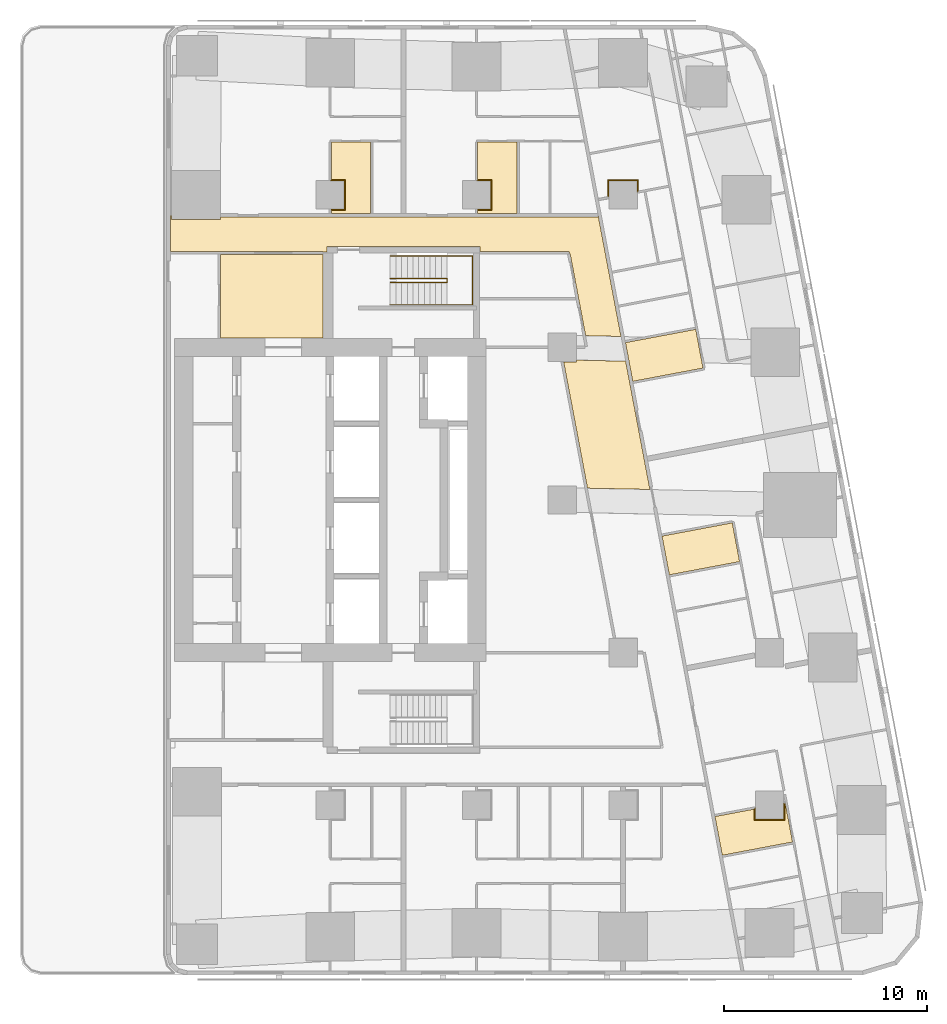
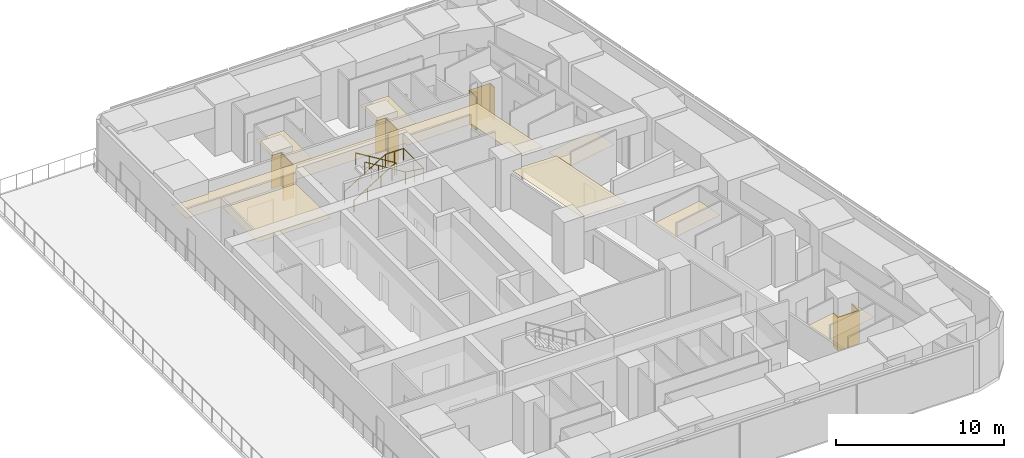
# One storey, part 11 of 11: 12 coverings, 2 railings.
"""IFC4 building model written with IfcOpenShell, lengths in metres."""

from ifc_helpers import new_model, si_unit, direction, frame, origin, origin_2d, place, context, subcontext, project, spatial, polyline, circle, outline, extrude, material, layer, layer_set, type_object, element, save


model = new_model("IFC4")

# Units and contexts
model_context = context("Model", 3, precision=1e-05, world=origin(), true_north=direction((0.0, 1.0)))
body_context = subcontext(model_context, "Body", "Model", "MODEL_VIEW")
ifc_project = project(units=[si_unit("LENGTHUNIT", "METRE"), si_unit("AREAUNIT", "SQUARE_METRE"), si_unit("VOLUMEUNIT", "CUBIC_METRE"), si_unit("PLANEANGLEUNIT", "RADIAN"), si_unit("MASSUNIT", "GRAM", prefix="KILO")], contexts=[model_context])

# Site, building, storey
site_placement = place(None, origin())
site = spatial("IfcSite", under=ifc_project, at=site_placement, CompositionType="ELEMENT")
building_placement = place(site_placement, origin())
building = spatial("IfcBuilding", under=site, at=building_placement, Name="Sheger Commons Tower", CompositionType="ELEMENT")
storey_placement = place(building_placement, frame((0.0, 0.0, 223.699951171875)))
storey = spatial("IfcBuildingStorey", under=building, at=storey_placement, Name="L57", CompositionType="ELEMENT", Elevation=223.699951171875)

# Railings
ifc_material_1 = material(Name="Steel handrail, black powder-coated", Category="steel")
railing_type = type_object("IfcRailingType", Name="HANDRAIL 900", PredefinedType="HANDRAIL", material=ifc_material_1)
railing_1_placement = place(storey_placement, frame((24.550048828125, 33.39990234375, 0.17041015625)))
element("IfcRailing", 1, at=railing_1_placement, inside=storey, type_object=railing_type, Name="Stair S2 handrail L57", PredefinedType="HANDRAIL", context=body_context, shape_type="SweptSolid", body=[
    extrude(circle(Radius=0.02392578125, at=origin_2d()), frame((0.0, 0.0, 0.8759765625), z_axis=(0.854169791009, 0.0, 0.51999420009), x_axis=(0.0, 1.0, 0.0)), (0.0, 0.0, 1.0), 3.278076171875),
    extrude(circle(Radius=0.02392578125, at=origin_2d()), frame((2.800048828125, 0.0, 2.58056640625), z_axis=(0.0, -0.761090297175, 0.648645943136), x_axis=(1.0, 0.0, 0.0)), (0.0, 0.0, 1.0), 0.2626953125),
    extrude(circle(Radius=0.02392578125, at=origin_2d()), frame((2.800048828125, -0.199951171875, 2.7509765625), z_axis=(-0.854169791009, 0.0, 0.51999420009), x_axis=(0.0, -1.0, 0.0)), (0.0, 0.0, 1.0), 3.278076171875),
    extrude(circle(Radius=0.02099609375, at=origin_2d()), origin(), (0.0, 0.0, 1.0), 0.851806640625),
    extrude(circle(Radius=0.02099609375, at=origin_2d()), frame((0.933349609375, 0.0, 0.568115234375)), (0.0, 0.0, 1.0), 0.851806640625),
    extrude(circle(Radius=0.02099609375, at=origin_2d()), frame((1.86669921875, 0.0, 1.136474609375)), (0.0, 0.0, 1.0), 0.851806640625),
    extrude(circle(Radius=0.02099609375, at=origin_2d()), frame((2.800048828125, 0.0, 1.70458984375)), (0.0, 0.0, 1.0), 0.851806640625),
    extrude(circle(Radius=0.02099609375, at=origin_2d()), frame((2.800048828125, -0.199951171875, 1.875)), (0.0, 0.0, 1.0), 0.851806640625),
    extrude(circle(Radius=0.02099609375, at=origin_2d()), frame((1.86669921875, -0.199951171875, 2.443115234375)), (0.0, 0.0, 1.0), 0.851806640625),
    extrude(circle(Radius=0.02099609375, at=origin_2d()), frame((0.933349609375, -0.199951171875, 3.011474609375)), (0.0, 0.0, 1.0), 0.851806640625),
    extrude(circle(Radius=0.02099609375, at=origin_2d()), frame((0.0, -0.199951171875, 3.57958984375)), (0.0, 0.0, 1.0), 0.851806640625),
])
railing_2_placement = place(storey_placement, frame((24.550048828125, 34.5, 0.17041015625)))
element("IfcRailing", 2, at=railing_2_placement, inside=storey, type_object=railing_type, Name="Stair S2 handrail L57", PredefinedType="HANDRAIL", context=body_context, shape_type="SweptSolid", body=[
    extrude(circle(Radius=0.02392578125, at=origin_2d()), frame((0.0, 0.0, 0.8759765625), z_axis=(0.854169791009, 0.0, 0.51999420009), x_axis=(0.0, 1.0, 0.0)), (0.0, 0.0, 1.0), 3.278076171875),
    extrude(circle(Radius=0.02392578125, at=origin_2d()), frame((2.800048828125, 0.0, 2.58056640625), z_axis=(1.0, 0.0, 0.0), x_axis=(0.0, 1.0, 0.0)), (0.0, 0.0, 1.0), 1.25),
    extrude(circle(Radius=0.02392578125, at=origin_2d()), frame((4.050048828125, 0.0, 2.58056640625), z_axis=(0.0, -1.0, 0.0), x_axis=(1.0, 0.0, 0.0)), (0.0, 0.0, 1.0), 2.39990234375),
    extrude(circle(Radius=0.02392578125, at=origin_2d()), frame((4.050048828125, -2.39990234375, 2.58056640625), z_axis=(-0.990834877927, 0.0, 0.135078661092), x_axis=(0.0, -1.0, 0.0)), (0.0, 0.0, 1.0), 1.261474609375),
    extrude(circle(Radius=0.02392578125, at=origin_2d()), frame((2.800048828125, -2.39990234375, 2.7509765625), z_axis=(-0.854169791009, 0.0, 0.51999420009), x_axis=(0.0, -1.0, 0.0)), (0.0, 0.0, 1.0), 3.278076171875),
    extrude(circle(Radius=0.02099609375, at=origin_2d()), origin(), (0.0, 0.0, 1.0), 0.851806640625),
    extrude(circle(Radius=0.02099609375, at=origin_2d()), frame((0.933349609375, 0.0, 0.568115234375)), (0.0, 0.0, 1.0), 0.851806640625),
    extrude(circle(Radius=0.02099609375, at=origin_2d()), frame((1.86669921875, 0.0, 1.136474609375)), (0.0, 0.0, 1.0), 0.851806640625),
    extrude(circle(Radius=0.02099609375, at=origin_2d()), frame((2.800048828125, 0.0, 1.70458984375)), (0.0, 0.0, 1.0), 0.851806640625),
    extrude(circle(Radius=0.02099609375, at=origin_2d()), frame((3.425048828125, 0.0, 1.70458984375)), (0.0, 0.0, 1.0), 0.851806640625),
    extrude(circle(Radius=0.02099609375, at=origin_2d()), frame((4.050048828125, 0.0, 1.70458984375)), (0.0, 0.0, 1.0), 0.851806640625),
    extrude(circle(Radius=0.02099609375, at=origin_2d()), frame((4.050048828125, -1.199951171875, 1.70458984375)), (0.0, 0.0, 1.0), 0.851806640625),
    extrude(circle(Radius=0.02099609375, at=origin_2d()), frame((4.050048828125, -2.39990234375, 1.70458984375)), (0.0, 0.0, 1.0), 0.851806640625),
    extrude(circle(Radius=0.02099609375, at=origin_2d()), frame((3.425048828125, -2.39990234375, 1.789794921875)), (0.0, 0.0, 1.0), 0.851806640625),
    extrude(circle(Radius=0.02099609375, at=origin_2d()), frame((2.800048828125, -2.39990234375, 1.875)), (0.0, 0.0, 1.0), 0.851806640625),
    extrude(circle(Radius=0.02099609375, at=origin_2d()), frame((1.86669921875, -2.39990234375, 2.443115234375)), (0.0, 0.0, 1.0), 0.851806640625),
    extrude(circle(Radius=0.02099609375, at=origin_2d()), frame((0.933349609375, -2.39990234375, 3.011474609375)), (0.0, 0.0, 1.0), 0.851806640625),
    extrude(circle(Radius=0.02099609375, at=origin_2d()), frame((0.0, -2.39990234375, 3.57958984375)), (0.0, 0.0, 1.0), 0.851806640625),
])

# Coverings
ifc_material_2 = material(Name="Moisture-resistant gypsum plasterboard 15 mm on a suspended galvanised steel grid", Category="steel")
ifc_layer_1 = layer(ifc_material_2, 0.014892578125)
ifc_layer_set_1 = layer_set([ifc_layer_1], Name="MOISTURE-RESISTANT CEILING 15")
covering_type_1 = type_object("IfcCoveringType", Name="MOISTURE-RESISTANT CEILING 15", PredefinedType="CEILING", material=ifc_layer_set_1)
covering_1_placement = place(storey_placement, frame((0.0, 0.0, 2.400146484375)))
element("IfcCovering", 3, at=covering_1_placement, inside=storey, type_object=covering_type_1, Name="L57-04.B1 ceiling", PredefinedType="CEILING", context=body_context, shape_type="SweptSolid", body=[
    extrude(outline(polyline([(36.47900390625, 28.3330078125), (39.93310546875, 28.986083984375), (39.572998046875, 30.89208984375), (36.118896484375, 30.239013671875), (36.47900390625, 28.3330078125)])), origin(), (0.0, 0.0, 1.0), 0.014892578125),
])
covering_2_placement = place(storey_placement, frame((0.0, 0.0, 2.400146484375)))
element("IfcCovering", 4, at=covering_2_placement, inside=storey, type_object=covering_type_1, Name="L57-05.B1 ceiling", PredefinedType="CEILING", context=body_context, shape_type="SweptSolid", body=[
    extrude(outline(polyline([(38.27587890625, 18.819091796875), (41.72998046875, 19.470947265625), (41.3701171875, 21.3779296875), (37.916015625, 20.72607421875), (38.27587890625, 18.819091796875)])), origin(), (0.0, 0.0, 1.0), 0.014892578125),
])
covering_3_placement = place(storey_placement, frame((0.0, 0.0, 2.400146484375)))
element("IfcCovering", 5, at=covering_3_placement, inside=storey, type_object=covering_type_1, Name="L57-06.B1 ceiling", PredefinedType="CEILING", context=body_context, shape_type="SweptSolid", body=[
    extrude(outline(polyline([(40.8798828125, 5.031982421875), (44.333984375, 5.68408203125), (43.97412109375, 7.591064453125), (43.9150390625, 7.580078125), (43.906982421875, 7.623046875), (43.905029296875, 7.623046875), (43.905029296875, 6.794921875), (42.4951171875, 6.794921875), (42.4951171875, 7.31103515625), (40.52001953125, 6.93798828125), (40.8798828125, 5.031982421875)])), origin(), (0.0, 0.0, 1.0), 0.014892578125),
])
covering_4_placement = place(storey_placement, frame((0.0, 0.0, 2.400146484375)))
element("IfcCovering", 6, at=covering_4_placement, inside=storey, type_object=covering_type_1, Name="L57-07.B1 ceiling", PredefinedType="CEILING", context=body_context, shape_type="SweptSolid", body=[
    extrude(outline(polyline([(21.655029296875, 36.580078125), (23.594970703125, 36.580078125), (23.594970703125, 40.094970703125), (21.655029296875, 40.094970703125), (21.655029296875, 38.205078125), (22.304931640625, 38.205078125), (22.304931640625, 36.794921875), (21.655029296875, 36.794921875), (21.655029296875, 36.580078125)])), origin(), (0.0, 0.0, 1.0), 0.014892578125),
])
covering_5_placement = place(storey_placement, frame((0.0, 0.0, 2.400146484375)))
element("IfcCovering", 7, at=covering_5_placement, inside=storey, type_object=covering_type_1, Name="L57-08.B1 ceiling", PredefinedType="CEILING", context=body_context, shape_type="SweptSolid", body=[
    extrude(outline(polyline([(28.85498046875, 36.580078125), (30.794921875, 36.580078125), (30.794921875, 40.094970703125), (28.85498046875, 40.094970703125), (28.85498046875, 38.205078125), (29.5048828125, 38.205078125), (29.5048828125, 36.794921875), (28.85498046875, 36.794921875), (28.85498046875, 36.580078125)])), origin(), (0.0, 0.0, 1.0), 0.014892578125),
])
ifc_material_3 = material(Name="Gypsum plasterboard 15 mm on a suspended steel grid", Category="steel")
ifc_layer_2 = layer(ifc_material_3, 0.014892578125)
ifc_layer_set_2 = layer_set([ifc_layer_2], Name="SUSPENDED CEILING 15")
covering_type_2 = type_object("IfcCoveringType", Name="SUSPENDED CEILING 15", PredefinedType="CEILING", material=ifc_layer_set_2)
covering_6_placement = place(storey_placement, frame((0.0, 0.0, 2.699951171875)))
element("IfcCovering", 8, at=covering_6_placement, inside=storey, type_object=covering_type_2, Name="L57-CO ceiling", PredefinedType="CEILING", context=body_context, shape_type="SweptSolid", body=[
    extrude(outline(polyline([(37.321044921875, 23.01806640625), (36.12890625, 29.323974609375), (33.705078125, 29.37890625), (33.705078125, 29.294921875), (33.0791015625, 29.294921875), (34.2529296875, 23.080078125), (37.321044921875, 23.01806640625)])), origin(), (0.0, 0.0, 1.0), 0.01513671875),
])
covering_7_placement = place(storey_placement, frame((0.0, 0.0, 2.699951171875)))
element("IfcCovering", 9, at=covering_7_placement, inside=storey, type_object=covering_type_2, Name="L57-CO ceiling", PredefinedType="CEILING", context=body_context, shape_type="SweptSolid", body=[
    extrude(outline(polyline([(35.89990234375, 30.5400390625), (34.77392578125, 36.5), (34.77001953125, 36.5), (34.77001953125, 36.419921875), (16.205078125, 36.419921875), (16.205078125, 36.294921875), (13.794921875, 36.294921875), (13.794921875, 36.5), (13.7548828125, 36.5), (13.7548828125, 34.718017578125), (21.2548828125, 34.718017578125), (21.2548828125, 34.699951171875), (21.445068359375, 34.699951171875), (21.445068359375, 34.955078125), (28.955078125, 34.955078125), (28.955078125, 34.718017578125), (33.3359375, 34.718017578125), (33.3359375, 34.699951171875), (33.363037109375, 34.699951171875), (33.381103515625, 34.60205078125), (33.39892578125, 34.60498046875), (34.159912109375, 30.5791015625), (35.89990234375, 30.5400390625)])), origin(), (0.0, 0.0, 1.0), 0.01513671875),
])
covering_8_placement = place(storey_placement, frame((0.0, 0.0, 2.699951171875)))
element("IfcCovering", 10, at=covering_8_placement, inside=storey, type_object=covering_type_2, Name="L57-SVN1 ceiling", PredefinedType="CEILING", context=body_context, shape_type="SweptSolid", body=[
    extrude(outline(polyline([(16.217041015625, 30.455078125), (21.2451171875, 30.455078125), (21.2451171875, 34.58203125), (16.217041015625, 34.58203125), (16.217041015625, 30.455078125)])), origin(), (0.0, 0.0, 1.0), 0.01513671875),
])
ifc_material_4 = material(Name="Moisture-resistant gypsum board 12.5 mm on 25 mm treated timber battens, tanked and tiled", Category="wood")
ifc_layer_3 = layer(ifc_material_4, 0.050048828125)
ifc_layer_set_3 = layer_set([ifc_layer_3], Name="WET-ROOM COLUMN LINING")
covering_type_3 = type_object("IfcCoveringType", Name="WET-ROOM COLUMN LINING", PredefinedType="CLADDING", material=ifc_layer_set_3)
covering_9_placement = place(storey_placement, origin())
element("IfcCovering", 11, at=covering_9_placement, inside=storey, type_object=covering_type_3, Name="Bathroom column lining C11 L57", PredefinedType="CLADDING", context=body_context, shape_type="SweptSolid", body=[
    extrude(outline(polyline([(42.5, 7.367919921875), (42.5, 6.800048828125), (43.89990234375, 6.800048828125), (43.89990234375, 7.633056640625), (43.909912109375, 7.635009765625), (43.9189453125, 7.5859375), (43.949951171875, 7.592041015625), (43.949951171875, 6.75), (42.449951171875, 6.75), (42.449951171875, 7.30810546875), (42.4990234375, 7.31689453125), (42.489990234375, 7.365966796875), (42.5, 7.367919921875)])), origin(), (0.0, 0.0, 1.0), 2.400146484375),
])
covering_10_placement = place(storey_placement, origin())
element("IfcCovering", 12, at=covering_10_placement, inside=storey, type_object=covering_type_3, Name="Bathroom column lining C11 L57", PredefinedType="CLADDING", context=body_context, shape_type="SweptSolid", body=[
    extrude(outline(polyline([(22.35009765625, 36.75), (21.64990234375, 36.75), (21.64990234375, 36.799072265625), (21.60009765625, 36.799072265625), (21.60009765625, 36.800048828125), (22.300048828125, 36.800048828125), (22.300048828125, 38.199951171875), (21.60009765625, 38.199951171875), (21.60009765625, 38.200927734375), (21.64990234375, 38.200927734375), (21.64990234375, 38.25), (22.35009765625, 38.25), (22.35009765625, 36.75)])), origin(), (0.0, 0.0, 1.0), 2.400146484375),
])
covering_11_placement = place(storey_placement, origin())
element("IfcCovering", 13, at=covering_11_placement, inside=storey, type_object=covering_type_3, Name="Bathroom column lining C11 L57", PredefinedType="CLADDING", context=body_context, shape_type="SweptSolid", body=[
    extrude(outline(polyline([(29.550048828125, 36.75), (28.85009765625, 36.75), (28.85009765625, 36.799072265625), (28.800048828125, 36.799072265625), (28.800048828125, 36.800048828125), (29.5, 36.800048828125), (29.5, 38.199951171875), (28.800048828125, 38.199951171875), (28.800048828125, 38.200927734375), (28.85009765625, 38.200927734375), (28.85009765625, 38.25), (29.550048828125, 38.25), (29.550048828125, 36.75)])), origin(), (0.0, 0.0, 1.0), 2.400146484375),
])
covering_12_placement = place(storey_placement, origin())
element("IfcCovering", 14, at=covering_12_placement, inside=storey, type_object=covering_type_3, Name="Laundry room column lining C11 L57", PredefinedType="CLADDING", context=body_context, shape_type="SweptSolid", body=[
    extrude(outline(polyline([(36.75, 38.25), (36.75, 37.69189453125), (36.700927734375, 37.68310546875), (36.7099609375, 37.635009765625), (36.699951171875, 37.633056640625), (36.699951171875, 38.199951171875), (35.300048828125, 38.199951171875), (35.300048828125, 37.367919921875), (35.2900390625, 37.365966796875), (35.281005859375, 37.4150390625), (35.25, 37.408935546875), (35.25, 38.25), (36.75, 38.25)])), origin(), (0.0, 0.0, 1.0), 2.400146484375),
])

save(model, "model.ifc")
